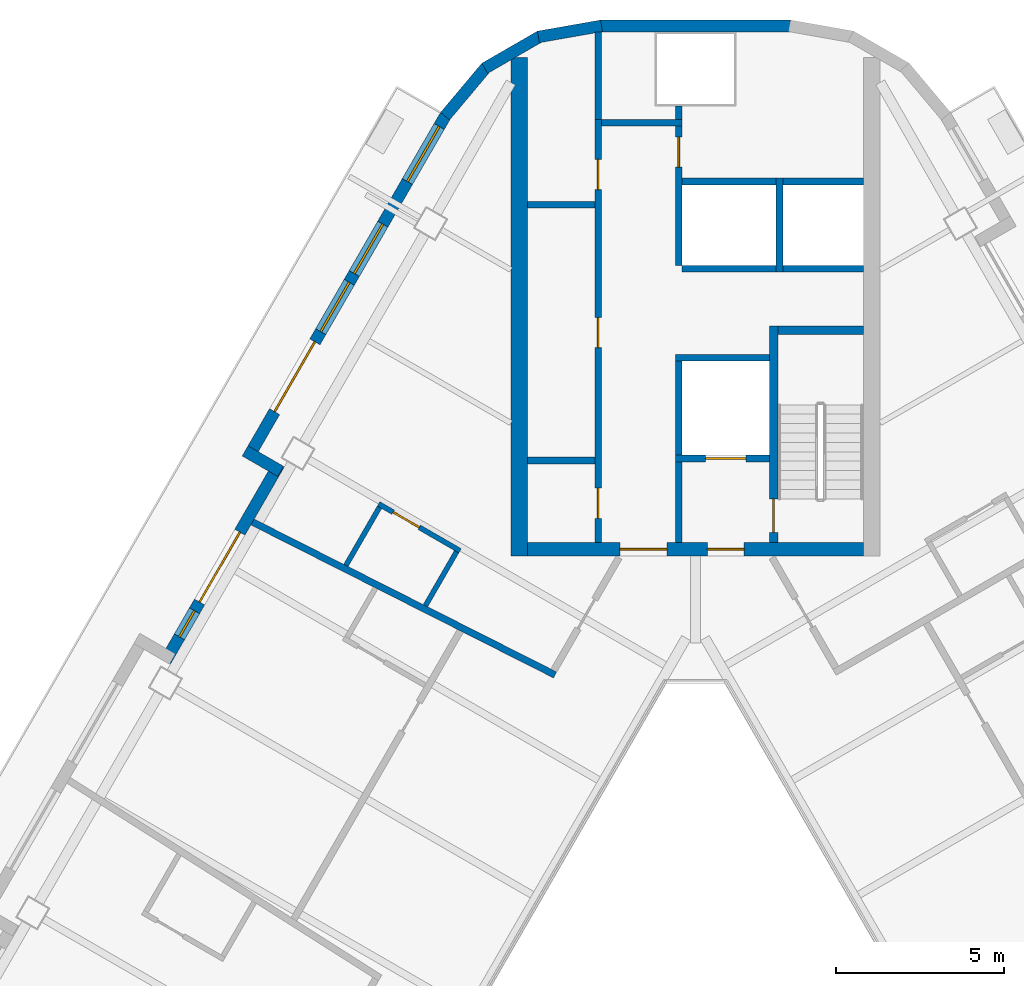
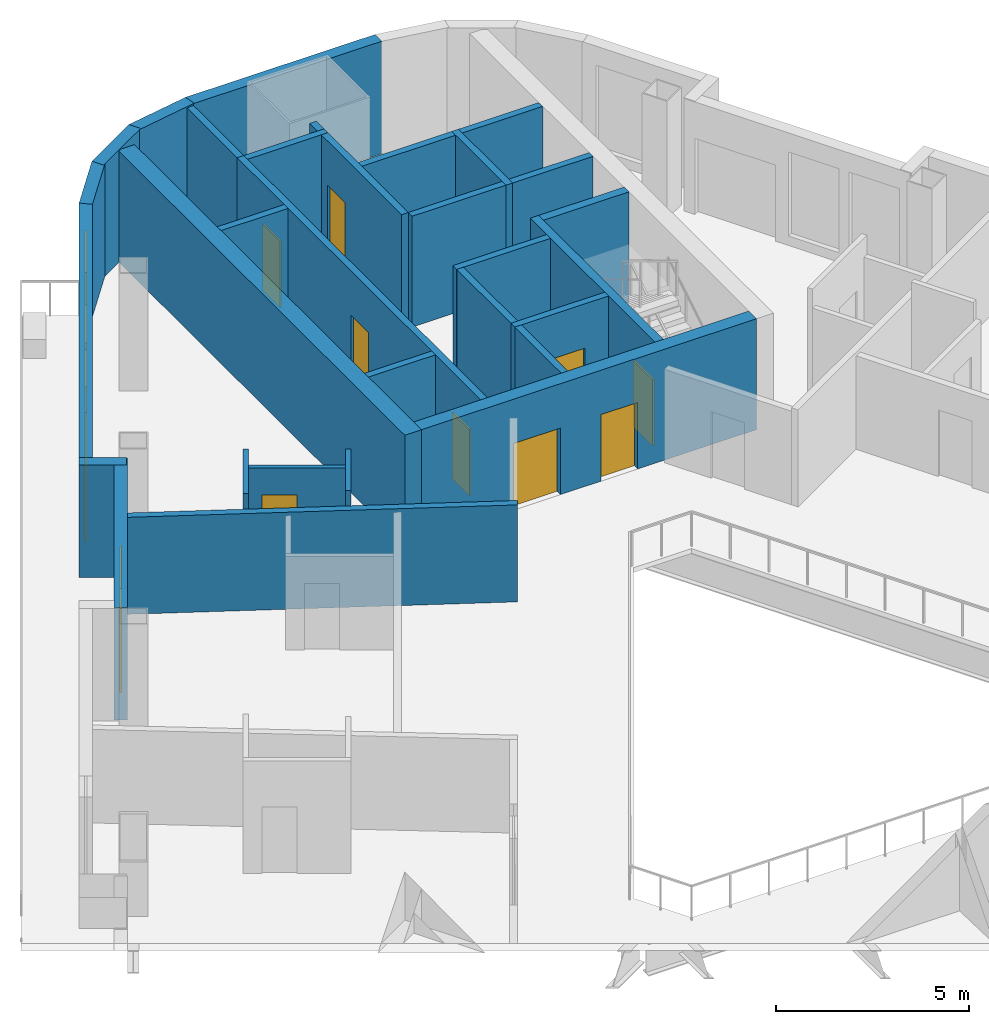
# One storey, part 6 of 13: 31 walls, 11 doors, 4 windows, 15 openings.
"""IFC4 building model written with IfcOpenShell, lengths in metres."""

from ifc_helpers import new_model, si_unit, direction, frame, frame_2d, origin, place, context, subcontext, project, spatial, rectangle, extrude, material, layer, layer_set, type_object, element, fill, save


model = new_model("IFC4")

# Units and contexts
model_context = context("Model", 3, precision=1e-05, world=origin(), true_north=direction((0.0, 1.0)))
body_context = subcontext(model_context, "Body", "Model", "MODEL_VIEW")
ifc_project = project(units=[si_unit("LENGTHUNIT", "METRE"), si_unit("AREAUNIT", "SQUARE_METRE"), si_unit("VOLUMEUNIT", "CUBIC_METRE"), si_unit("PLANEANGLEUNIT", "RADIAN"), si_unit("MASSUNIT", "GRAM", prefix="KILO")], contexts=[model_context])

# Site, building, storey
site_placement = place(None, origin())
site = spatial("IfcSite", under=ifc_project, at=site_placement, CompositionType="ELEMENT")
building_placement = place(site_placement, origin())
building = spatial("IfcBuilding", under=site, at=building_placement, Name="Apuvela Tower Hotel", CompositionType="ELEMENT")
storey_placement = place(building_placement, frame((0.0, 0.0, 198.39990234375)))
storey = spatial("IfcBuildingStorey", under=building, at=storey_placement, Name="L48", CompositionType="ELEMENT", Elevation=198.39990234375)

# Wall, openings, doors
ifc_material_1 = material(Name="Concrete C50/60", Category="concrete")
ifc_layer_1 = layer(ifc_material_1, 0.39990234375)
ifc_layer_set_1 = layer_set([ifc_layer_1], Name="COR-WALL-CORE-400")
wall_type_1 = type_object("IfcWallType", Name="COR-WALL-CORE-400", PredefinedType="SHEAR", material=ifc_layer_set_1)
wall_1_placement = place(storey_placement, frame((5.0, 13.10009765625, 0.0), z_axis=(0.0, 0.0, 1.0), x_axis=(-1.0, 0.0, 0.0)))
wall_1 = element("IfcWall", 1, at=wall_1_placement, inside=storey, type_object=wall_type_1, Name="Core wall N", PredefinedType="SHEAR", context=body_context, shape_type="SweptSolid", body=[
    extrude(rectangle(XDim=10.0, YDim=0.39990234375, at=frame_2d((5.0, 0.0))), origin(), (0.0, 0.0, 1.0), 3.5),
])
opening_1_placement = place(wall_1_placement, frame((3.550048828125, 0.0, 0.0)))
opening_1 = element("IfcOpeningElement", 2, at=opening_1_placement, cuts=wall_1, Name="Opening N-FD", PredefinedType="OPENING", context=body_context, shape_type="SweptSolid", body=[
    extrude(rectangle(XDim=1.10009765625, YDim=2.10009765625, at=frame_2d((0.550048828125, 1.050048828125))), frame((0.0, 0.2099609375, 0.0), z_axis=(0.0, -1.0, 0.0), x_axis=(1.0, 0.0, 0.0)), (0.0, 0.0, 1.0), 0.419921875),
])
opening_2_placement = place(wall_1_placement, frame((5.85009765625, 0.0, 0.0)))
opening_2 = element("IfcOpeningElement", 3, at=opening_2_placement, cuts=wall_1, Name="Opening N-GD", PredefinedType="OPENING", context=body_context, shape_type="SweptSolid", body=[
    extrude(rectangle(XDim=1.39990234375, YDim=2.10009765625, at=frame_2d((0.699951171875, 1.050048828125))), frame((0.0, 0.2099609375, 0.0), z_axis=(0.0, -1.0, 0.0), x_axis=(1.0, 0.0, 0.0)), (0.0, 0.0, 1.0), 0.419921875),
])
ifc_material_2 = material(Name="Steel fire door, powder coated", Category="steel")
door_type_1 = type_object("IfcDoorType", Name="COR-FD-1100", OperationType="NOTDEFINED", PredefinedType="DOOR", material=ifc_material_2)
door_1_placement = place(opening_1_placement, frame((1.10009765625, 0.0, 0.0), z_axis=(0.0, 0.0, 1.0), x_axis=(-1.0, 0.0, 0.0)))
door_1 = element("IfcDoor", 4, at=door_1_placement, inside=storey, type_object=door_type_1, Name="Firefighting lobby door N-FD", OperationType="SINGLE_SWING_LEFT", OverallHeight=2.10009765625, OverallWidth=1.10009765625, PredefinedType="DOOR", context=body_context, shape_type="SweptSolid", body=[
    extrude(rectangle(XDim=1.10009765625, YDim=2.10009765625, at=frame_2d((0.550048828125, 1.050048828125))), frame((0.0, 0.02490234375, 0.0), z_axis=(0.0, -1.0, 0.0), x_axis=(1.0, 0.0, 0.0)), (0.0, 0.0, 1.0), 0.050048828125),
])
fill(opening_1, door_1)
ifc_material_3 = material(Name="Glazed steel fire door", Category="steel")
door_type_2 = type_object("IfcDoorType", Name="COR-GD-1400", OperationType="DOUBLE_DOOR_SINGLE_SWING", PredefinedType="DOOR", material=ifc_material_3)
door_2_placement = place(opening_2_placement, frame((1.39990234375, 0.0, 0.0), z_axis=(0.0, 0.0, 1.0), x_axis=(-1.0, 0.0, 0.0)))
door_2 = element("IfcDoor", 5, at=door_2_placement, inside=storey, type_object=door_type_2, Name="Lift lobby door N-GD", OperationType="DOUBLE_DOOR_SINGLE_SWING", OverallHeight=2.10009765625, OverallWidth=1.39990234375, PredefinedType="DOOR", context=body_context, shape_type="SweptSolid", body=[
    extrude(rectangle(XDim=1.39990234375, YDim=2.10009765625, at=frame_2d((0.699951171875, 1.050048828125))), frame((0.0, 0.02490234375, 0.0), z_axis=(0.0, -1.0, 0.0), x_axis=(1.0, 0.0, 0.0)), (0.0, 0.0, 1.0), 0.050048828125),
])
fill(opening_2, door_2)

# Walls
ifc_layer_2 = layer(ifc_material_1, 0.5)
ifc_layer_set_2 = layer_set([ifc_layer_2], Name="COR-WALL-CORE-500")
wall_type_2 = type_object("IfcWallType", Name="COR-WALL-CORE-500", PredefinedType="SHEAR", material=ifc_layer_set_2)
wall_2_placement = place(storey_placement, frame((-5.25, 12.89990234375, 0.0), z_axis=(0.0, 0.0, 1.0), x_axis=(0.0, 1.0, 0.0)))
element("IfcWall", 6, at=wall_2_placement, inside=storey, type_object=wall_type_2, Name="Core wall N", PredefinedType="SHEAR", context=body_context, shape_type="SweptSolid", body=[
    extrude(rectangle(XDim=14.8369140625, YDim=0.5, at=frame_2d((7.41845703125, 0.0))), origin(), (0.0, 0.0, 1.0), 3.5),
])
ifc_material_4 = material(Name="Blockwork 200 mm plastered", Category="masonry")
ifc_layer_3 = layer(ifc_material_4, 0.199951171875)
ifc_layer_set_3 = layer_set([ifc_layer_3], Name="COR-WALL-PART-200")
wall_type_3 = type_object("IfcWallType", Name="COR-WALL-PART-200", PredefinedType="PARTITIONING", material=ifc_layer_set_3)
wall_3_placement = place(storey_placement, frame((5.0, 21.449951171875, 0.0), z_axis=(0.0, 0.0, 1.0), x_axis=(-1.0, 0.0, 0.0)))
element("IfcWall", 7, at=wall_3_placement, inside=storey, type_object=wall_type_3, Name="Partition N", PredefinedType="PARTITIONING", context=body_context, shape_type="SweptSolid", body=[
    extrude(rectangle(XDim=2.39990234375, YDim=0.199951171875, at=frame_2d((1.199951171875, 0.0))), origin(), (0.0, 0.0, 1.0), 3.5),
])
wall_4_placement = place(storey_placement, frame((2.39990234375, 21.449951171875, 0.0), z_axis=(0.0, 0.0, 1.0), x_axis=(-1.0, 0.0, 0.0)))
element("IfcWall", 8, at=wall_4_placement, inside=storey, type_object=wall_type_3, Name="Partition N", PredefinedType="PARTITIONING", context=body_context, shape_type="SweptSolid", body=[
    extrude(rectangle(XDim=2.7998046875, YDim=0.199951171875, at=frame_2d((1.39990234375, 0.0))), origin(), (0.0, 0.0, 1.0), 3.5),
])
ifc_layer_4 = layer(ifc_material_1, 0.199951171875)
ifc_layer_set_4 = layer_set([ifc_layer_4], Name="COR-WALL-SHAFT-200")
wall_type_4 = type_object("IfcWallType", Name="COR-WALL-SHAFT-200", PredefinedType="SHEAR", material=ifc_layer_set_4)
wall_5_placement = place(storey_placement, frame((2.199951171875, 18.800048828125, 0.0), z_axis=(0.0, 0.0, 1.0), x_axis=(-1.0, 0.0, 0.0)))
element("IfcWall", 9, at=wall_5_placement, inside=storey, type_object=wall_type_4, Name="Shaft wall N", PredefinedType="SHEAR", context=body_context, shape_type="SweptSolid", body=[
    extrude(rectangle(XDim=2.800048828125, YDim=0.199951171875, at=frame_2d((1.39990234375, 0.0))), origin(), (0.0, 0.0, 1.0), 3.5),
])

# Wall, opening, door
wall_6_placement = place(storey_placement, frame((2.199951171875, 15.800048828125, 0.0), z_axis=(0.0, 0.0, 1.0), x_axis=(-1.0, 0.0, 0.0)))
wall_6 = element("IfcWall", 10, at=wall_6_placement, inside=storey, type_object=wall_type_4, Name="Shaft wall N", PredefinedType="SHEAR", context=body_context, shape_type="SweptSolid", body=[
    extrude(rectangle(XDim=2.800048828125, YDim=0.199951171875, at=frame_2d((1.39990234375, 0.0))), origin(), (0.0, 0.0, 1.0), 3.5),
])
opening_3_placement = place(wall_6_placement, frame((0.699951171875, 0.0, 0.0)))
opening_3 = element("IfcOpeningElement", 11, at=opening_3_placement, cuts=wall_6, Name="Opening N-LD-FS1", PredefinedType="OPENING", context=body_context, shape_type="SweptSolid", body=[
    extrude(rectangle(XDim=1.199951171875, YDim=2.10009765625, at=frame_2d((0.60009765625, 1.050048828125))), frame((0.0, 0.10986328125, 0.0), z_axis=(0.0, -1.0, 0.0), x_axis=(1.0, 0.0, 0.0)), (0.0, 0.0, 1.0), 0.219970703125),
])
ifc_material_5 = material(Name="Stainless steel lift landing door", Category="steel")
door_type_3 = type_object("IfcDoorType", Name="COR-LD-1200", OperationType="DOUBLE_DOOR_SLIDING", PredefinedType="DOOR", material=ifc_material_5)
door_3_placement = place(opening_3_placement, origin())
door_3 = element("IfcDoor", 12, at=door_3_placement, inside=storey, type_object=door_type_3, Name="Lift landing door N-LD-FS1", OperationType="DOUBLE_DOOR_SLIDING", OverallHeight=2.10009765625, OverallWidth=1.199951171875, PredefinedType="DOOR", context=body_context, shape_type="SweptSolid", body=[
    extrude(rectangle(XDim=1.199951171875, YDim=2.10009765625, at=frame_2d((0.60009765625, 1.050048828125))), frame((0.0, 0.02490234375, 0.0), z_axis=(0.0, -1.0, 0.0), x_axis=(1.0, 0.0, 0.0)), (0.0, 0.0, 1.0), 0.050048828125),
])
fill(opening_3, door_3)

# Walls
wall_7_placement = place(storey_placement, frame((-0.5, 15.89990234375, 0.0), z_axis=(0.0, 0.0, 1.0), x_axis=(0.0, 1.0, 0.0)))
element("IfcWall", 13, at=wall_7_placement, inside=storey, type_object=wall_type_4, Name="Shaft wall N", PredefinedType="SHEAR", context=body_context, shape_type="SweptSolid", body=[
    extrude(rectangle(XDim=2.800048828125, YDim=0.199951171875, at=frame_2d((1.39990234375, 0.0))), origin(), (0.0, 0.0, 1.0), 3.5),
])
wall_8_placement = place(storey_placement, frame((-0.5, 13.300048828125, 0.0), z_axis=(0.0, 0.0, 1.0), x_axis=(0.0, 1.0, 0.0)))
element("IfcWall", 14, at=wall_8_placement, inside=storey, type_object=wall_type_4, Name="Shaft wall N", PredefinedType="SHEAR", context=body_context, shape_type="SweptSolid", body=[
    extrude(rectangle(XDim=2.39990234375, YDim=0.199951171875, at=frame_2d((1.199951171875, 0.0))), origin(), (0.0, 0.0, 1.0), 3.5),
])

# Wall, openings, doors
wall_9_placement = place(storey_placement, frame((-2.89990234375, 13.300048828125, 0.0), z_axis=(0.0, 0.0, 1.0), x_axis=(0.0, 1.0, 0.0)))
wall_9 = element("IfcWall", 15, at=wall_9_placement, inside=storey, type_object=wall_type_4, Name="Shaft wall N", PredefinedType="SHEAR", context=body_context, shape_type="SweptSolid", body=[
    extrude(rectangle(XDim=12.599853515625, YDim=0.199951171875, at=frame_2d((6.2998046875, 0.0))), origin(), (0.0, 0.0, 1.0), 3.5),
])
opening_4_placement = place(wall_9_placement, frame((0.719970703125, 0.0, 0.0)))
opening_4 = element("IfcOpeningElement", 16, at=opening_4_placement, cuts=wall_9, Name="Opening N-RE1", PredefinedType="OPENING", context=body_context, shape_type="SweptSolid", body=[
    extrude(rectangle(XDim=0.89990234375, YDim=2.10009765625, at=frame_2d((0.449951171875, 1.050048828125))), frame((0.0, 0.10986328125, 0.0), z_axis=(0.0, -1.0, 0.0), x_axis=(1.0, 0.0, 0.0)), (0.0, 0.0, 1.0), 0.219970703125),
])
opening_5_placement = place(wall_9_placement, frame((5.800048828125, 0.0, 0.0)))
opening_5 = element("IfcOpeningElement", 17, at=opening_5_placement, cuts=wall_9, Name="Opening N-RE2", PredefinedType="OPENING", context=body_context, shape_type="SweptSolid", body=[
    extrude(rectangle(XDim=0.89990234375, YDim=2.10009765625, at=frame_2d((0.449951171875, 1.050048828125))), frame((0.0, 0.10986328125, 0.0), z_axis=(0.0, -1.0, 0.0), x_axis=(1.0, 0.0, 0.0)), (0.0, 0.0, 1.0), 0.219970703125),
])
opening_6_placement = place(wall_9_placement, frame((10.510009765625, 0.0, 0.0)))
opening_6 = element("IfcOpeningElement", 18, at=opening_6_placement, cuts=wall_9, Name="Opening N-REP", PredefinedType="OPENING", context=body_context, shape_type="SweptSolid", body=[
    extrude(rectangle(XDim=0.89990234375, YDim=2.10009765625, at=frame_2d((0.449951171875, 1.050048828125))), frame((0.0, 0.10986328125, 0.0), z_axis=(0.0, -1.0, 0.0), x_axis=(1.0, 0.0, 0.0)), (0.0, 0.0, 1.0), 0.219970703125),
])
door_type_4 = type_object("IfcDoorType", Name="COR-DR-900", OperationType="NOTDEFINED", PredefinedType="DOOR", material=ifc_material_2)
door_4_placement = place(opening_4_placement, origin())
door_4 = element("IfcDoor", 19, at=door_4_placement, inside=storey, type_object=door_type_4, Name="Store door N-RE1", OperationType="SINGLE_SWING_LEFT", OverallHeight=2.10009765625, OverallWidth=0.89990234375, PredefinedType="DOOR", context=body_context, shape_type="SweptSolid", body=[
    extrude(rectangle(XDim=0.89990234375, YDim=2.10009765625, at=frame_2d((0.449951171875, 1.050048828125))), frame((0.0, 0.02490234375, 0.0), z_axis=(0.0, -1.0, 0.0), x_axis=(1.0, 0.0, 0.0)), (0.0, 0.0, 1.0), 0.050048828125),
])
fill(opening_4, door_4)
door_5_placement = place(opening_5_placement, origin())
door_5 = element("IfcDoor", 20, at=door_5_placement, inside=storey, type_object=door_type_4, Name="Store door N-RE2", OperationType="SINGLE_SWING_RIGHT", OverallHeight=2.10009765625, OverallWidth=0.89990234375, PredefinedType="DOOR", context=body_context, shape_type="SweptSolid", body=[
    extrude(rectangle(XDim=0.89990234375, YDim=2.10009765625, at=frame_2d((0.449951171875, 1.050048828125))), frame((0.0, 0.02490234375, 0.0), z_axis=(0.0, -1.0, 0.0), x_axis=(1.0, 0.0, 0.0)), (0.0, 0.0, 1.0), 0.050048828125),
])
fill(opening_5, door_5)
door_6_placement = place(opening_6_placement, origin())
door_6 = element("IfcDoor", 21, at=door_6_placement, inside=storey, type_object=door_type_4, Name="Store door N-REP", OperationType="SINGLE_SWING_RIGHT", OverallHeight=2.10009765625, OverallWidth=0.89990234375, PredefinedType="DOOR", context=body_context, shape_type="SweptSolid", body=[
    extrude(rectangle(XDim=0.89990234375, YDim=2.10009765625, at=frame_2d((0.449951171875, 1.050048828125))), frame((0.0, 0.02490234375, 0.0), z_axis=(0.0, -1.0, 0.0), x_axis=(1.0, 0.0, 0.0)), (0.0, 0.0, 1.0), 0.050048828125),
])
fill(opening_6, door_6)

# Wall
wall_10_placement = place(storey_placement, frame((-0.39990234375, 25.800048828125, 0.0), z_axis=(0.0, 0.0, 1.0), x_axis=(-1.0, 0.0, 0.0)))
element("IfcWall", 22, at=wall_10_placement, inside=storey, type_object=wall_type_4, Name="Shaft wall N", PredefinedType="SHEAR", context=body_context, shape_type="SweptSolid", body=[
    extrude(rectangle(XDim=2.400146484375, YDim=0.199951171875, at=frame_2d((1.2001953125, 0.0))), origin(), (0.0, 0.0, 1.0), 3.5),
])

# Wall, opening, door
wall_11_placement = place(storey_placement, frame((-0.5, 21.550048828125, 0.0), z_axis=(0.0, 0.0, 1.0), x_axis=(0.0, 1.0, 0.0)))
wall_11 = element("IfcWall", 23, at=wall_11_placement, inside=storey, type_object=wall_type_4, Name="Shaft wall N", PredefinedType="SHEAR", context=body_context, shape_type="SweptSolid", body=[
    extrude(rectangle(XDim=4.14990234375, YDim=0.199951171875, at=frame_2d((2.074951171875, 0.0))), origin(), (0.0, 0.0, 1.0), 3.5),
])
opening_7_placement = place(wall_11_placement, frame((2.925048828125, 0.0, 0.0)))
opening_7 = element("IfcOpeningElement", 24, at=opening_7_placement, cuts=wall_11, Name="Opening N-RSP", PredefinedType="OPENING", context=body_context, shape_type="SweptSolid", body=[
    extrude(rectangle(XDim=0.89990234375, YDim=2.10009765625, at=frame_2d((0.449951171875, 1.050048828125))), frame((0.0, 0.10986328125, 0.0), z_axis=(0.0, -1.0, 0.0), x_axis=(1.0, 0.0, 0.0)), (0.0, 0.0, 1.0), 0.219970703125),
])
door_7_placement = place(opening_7_placement, frame((0.89990234375, 0.0, 0.0), z_axis=(0.0, 0.0, 1.0), x_axis=(-1.0, 0.0, 0.0)))
door_7 = element("IfcDoor", 25, at=door_7_placement, inside=storey, type_object=door_type_4, Name="Store door N-RSP", OperationType="SINGLE_SWING_LEFT", OverallHeight=2.10009765625, OverallWidth=0.89990234375, PredefinedType="DOOR", context=body_context, shape_type="SweptSolid", body=[
    extrude(rectangle(XDim=0.89990234375, YDim=2.10009765625, at=frame_2d((0.449951171875, 1.050048828125))), frame((0.0, 0.02490234375, 0.0), z_axis=(0.0, -1.0, 0.0), x_axis=(1.0, 0.0, 0.0)), (0.0, 0.0, 1.0), 0.050048828125),
])
fill(opening_7, door_7)

# Walls
for number, where, z_axis, x_axis, name in (
    (26, (-3.0, 15.739990234375, 0.0), (0.0, 0.0, 1.0), (-1.0, 0.0, 0.0), "Shaft wall N"),
    (27, (-3.0, 23.360107421875, 0.0), (0.0, 0.0, 1.0), (-1.0, 0.0, 0.0), "Shaft wall N"),
):
    element("IfcWall", number, at=place(storey_placement, frame(where, z_axis=z_axis, x_axis=x_axis)), inside=storey, type_object=wall_type_4, Name=name, PredefinedType="SHEAR", context=body_context, shape_type="SweptSolid", body=[
        extrude(rectangle(XDim=2.0, YDim=0.199951171875, at=frame_2d((1.0, 0.0))), origin(), (0.0, 0.0, 1.0), 3.5),
    ])
wall_12_placement = place(storey_placement, frame((-0.5, 25.89990234375, 0.0), z_axis=(0.0, 0.0, 1.0), x_axis=(0.0, 1.0, 0.0)))
element("IfcWall", 28, at=wall_12_placement, inside=storey, type_object=wall_type_4, Name="Shaft wall N", PredefinedType="SHEAR", context=body_context, shape_type="SweptSolid", body=[
    extrude(rectangle(XDim=0.400146484375, YDim=0.199951171875, at=frame_2d((0.2001953125, 0.0))), origin(), (0.0, 0.0, 1.0), 3.5),
])
wall_13_placement = place(storey_placement, frame((-2.89990234375, 25.89990234375, 0.0), z_axis=(0.0, 0.0, 1.0), x_axis=(0.0, 1.0, 0.0)))
element("IfcWall", 29, at=wall_13_placement, inside=storey, type_object=wall_type_4, Name="Shaft wall N", PredefinedType="SHEAR", context=body_context, shape_type="SweptSolid", body=[
    extrude(rectangle(XDim=2.60009765625, YDim=0.199951171875, at=frame_2d((1.300048828125, 0.0))), origin(), (0.0, 0.0, 1.0), 3.5),
])
wall_14_placement = place(storey_placement, frame((2.5, 21.35009765625, 0.0), z_axis=(0.0, 0.0, 1.0), x_axis=(0.0, 1.0, 0.0)))
element("IfcWall", 30, at=wall_14_placement, inside=storey, type_object=wall_type_4, Name="Shaft wall N", PredefinedType="SHEAR", context=body_context, shape_type="SweptSolid", body=[
    extrude(rectangle(XDim=2.7998046875, YDim=0.199951171875, at=frame_2d((1.39990234375, 0.0))), origin(), (0.0, 0.0, 1.0), 3.5),
])
wall_15_placement = place(storey_placement, frame((5.0, 24.050048828125, 0.0), z_axis=(0.0, 0.0, 1.0), x_axis=(-1.0, 0.0, 0.0)))
element("IfcWall", 31, at=wall_15_placement, inside=storey, type_object=wall_type_4, Name="Shaft wall N", PredefinedType="SHEAR", context=body_context, shape_type="SweptSolid", body=[
    extrude(rectangle(XDim=2.39990234375, YDim=0.199951171875, at=frame_2d((1.199951171875, 0.0))), origin(), (0.0, 0.0, 1.0), 3.5),
])
wall_16_placement = place(storey_placement, frame((2.39990234375, 24.050048828125, 0.0), z_axis=(0.0, 0.0, 1.0), x_axis=(-1.0, 0.0, 0.0)))
element("IfcWall", 32, at=wall_16_placement, inside=storey, type_object=wall_type_4, Name="Shaft wall N", PredefinedType="SHEAR", context=body_context, shape_type="SweptSolid", body=[
    extrude(rectangle(XDim=2.7998046875, YDim=0.199951171875, at=frame_2d((1.39990234375, 0.0))), origin(), (0.0, 0.0, 1.0), 3.5),
])

# Wall, opening, door
ifc_layer_5 = layer(ifc_material_1, 0.25)
ifc_layer_set_5 = layer_set([ifc_layer_5], Name="COR-WALL-STAIR-250")
wall_type_5 = type_object("IfcWallType", Name="COR-WALL-STAIR-250", PredefinedType="SHEAR", material=ifc_layer_set_5)
wall_17_placement = place(storey_placement, frame((2.324951171875, 13.300048828125, 0.0), z_axis=(0.0, 0.0, 1.0), x_axis=(0.0, 1.0, 0.0)))
wall_17 = element("IfcWall", 33, at=wall_17_placement, inside=storey, type_object=wall_type_5, Name="Stair wall N", PredefinedType="SHEAR", context=body_context, shape_type="SweptSolid", body=[
    extrude(rectangle(XDim=6.449951171875, YDim=0.25, at=frame_2d((3.22509765625, 0.0))), origin(), (0.0, 0.0, 1.0), 3.5),
])
opening_8_placement = place(wall_17_placement, frame((0.300048828125, 0.0, 0.0)))
opening_8 = element("IfcOpeningElement", 34, at=opening_8_placement, cuts=wall_17, Name="Opening N-SD", PredefinedType="OPENING", context=body_context, shape_type="SweptSolid", body=[
    extrude(rectangle(XDim=1.0, YDim=2.10009765625, at=frame_2d((0.5, 1.050048828125))), frame((0.0, 0.135009765625, 0.0), z_axis=(0.0, -1.0, 0.0), x_axis=(1.0, 0.0, 0.0)), (0.0, 0.0, 1.0), 0.27001953125),
])
door_type_5 = type_object("IfcDoorType", Name="COR-SD-1000", OperationType="NOTDEFINED", PredefinedType="DOOR", material=ifc_material_2)
door_8_placement = place(opening_8_placement, frame((1.0, 0.0, 0.0), z_axis=(0.0, 0.0, 1.0), x_axis=(-1.0, 0.0, 0.0)))
door_8 = element("IfcDoor", 35, at=door_8_placement, inside=storey, type_object=door_type_5, Name="Stair door N-SD", OperationType="SINGLE_SWING_LEFT", OverallHeight=2.10009765625, OverallWidth=1.0, PredefinedType="DOOR", context=body_context, shape_type="SweptSolid", body=[
    extrude(rectangle(XDim=1.0, YDim=2.10009765625, at=frame_2d((0.5, 1.050048828125))), frame((0.0, 0.02490234375, 0.0), z_axis=(0.0, -1.0, 0.0), x_axis=(1.0, 0.0, 0.0)), (0.0, 0.0, 1.0), 0.050048828125),
])
fill(opening_8, door_8)

# Wall
wall_18_placement = place(storey_placement, frame((5.0, 19.625, 0.0), z_axis=(0.0, 0.0, 1.0), x_axis=(-1.0, 0.0, 0.0)))
element("IfcWall", 36, at=wall_18_placement, inside=storey, type_object=wall_type_5, Name="Stair wall N", PredefinedType="SHEAR", context=body_context, shape_type="SweptSolid", body=[
    extrude(rectangle(XDim=2.550048828125, YDim=0.25, at=frame_2d((1.27490234375, 0.0))), origin(), (0.0, 0.0, 1.0), 3.5),
])

# Wall, openings, door, windows
ifc_material_6 = material(Name="Concrete C40/50, dark pigmented precast panel", Category="concrete")
ifc_layer_6 = layer(ifc_material_6, 0.35009765625)
ifc_layer_set_6 = layer_set([ifc_layer_6], Name="ENV-WALL-350")
wall_type_6 = type_object("IfcWallType", Name="ENV-WALL-350", PredefinedType="SOLIDWALL", material=ifc_layer_set_6)
wall_19_placement = place(storey_placement, frame((-7.440673828125, 26.0224609375, 0.0), z_axis=(0.0, 0.0, 1.0), x_axis=(-0.499992533062, -0.86602971478, 0.0)))
wall_19 = element("IfcWall", 37, at=wall_19_placement, inside=storey, type_object=wall_type_6, Name="External wall L48-01", PredefinedType="SOLIDWALL", context=body_context, shape_type="SweptSolid", body=[
    extrude(rectangle(XDim=11.815673828125, YDim=0.35009765625, at=frame_2d((5.90771484375, 0.0))), origin(), (0.0, 0.0, 1.0), 3.550048828125),
])
opening_9_placement = place(wall_19_placement, frame((0.381103515625, 0.0, 0.300048828125)))
opening_9 = element("IfcOpeningElement", 38, at=opening_9_placement, cuts=wall_19, Name="Opening WN19", PredefinedType="OPENING", context=body_context, shape_type="SweptSolid", body=[
    extrude(rectangle(XDim=1.89990234375, YDim=2.64990234375, at=frame_2d((0.949951171875, 1.324951171875))), frame((0.0, 0.18505859375, 0.0), z_axis=(0.0, -1.0, 0.0), x_axis=(1.0, 0.0, 0.0)), (0.0, 0.0, 1.0), 0.3701171875),
])
opening_10_placement = place(wall_19_placement, frame((7.79052734375, 0.0, 0.0)))
opening_10 = element("IfcOpeningElement", 39, at=opening_10_placement, cuts=wall_19, Name="Opening BD24", PredefinedType="OPENING", context=body_context, shape_type="SweptSolid", body=[
    extrude(rectangle(XDim=2.39990234375, YDim=2.39990234375, at=frame_2d((1.199951171875, 1.199951171875))), frame((0.0, 0.18505859375, 0.0), z_axis=(0.0, -1.0, 0.0), x_axis=(1.0, 0.0, 0.0)), (0.0, 0.0, 1.0), 0.3701171875),
])
opening_11_placement = place(wall_19_placement, frame((3.7412109375, 0.0, 0.300048828125)))
opening_11 = element("IfcOpeningElement", 40, at=opening_11_placement, cuts=wall_19, Name="Opening WN17", PredefinedType="OPENING", context=body_context, shape_type="SweptSolid", body=[
    extrude(rectangle(XDim=1.699951171875, YDim=2.64990234375, at=frame_2d((0.85009765625, 1.324951171875))), frame((0.0, 0.18505859375, 0.0), z_axis=(0.0, -1.0, 0.0), x_axis=(1.0, 0.0, 0.0)), (0.0, 0.0, 1.0), 0.3701171875),
])
opening_12_placement = place(wall_19_placement, frame((5.7412109375, 0.0, 0.300048828125)))
opening_12 = element("IfcOpeningElement", 41, at=opening_12_placement, cuts=wall_19, Name="Opening WN17", PredefinedType="OPENING", context=body_context, shape_type="SweptSolid", body=[
    extrude(rectangle(XDim=1.699951171875, YDim=2.64990234375, at=frame_2d((0.85009765625, 1.324951171875))), frame((0.0, 0.18505859375, 0.0), z_axis=(0.0, -1.0, 0.0), x_axis=(1.0, 0.0, 0.0)), (0.0, 0.0, 1.0), 0.3701171875),
])
ifc_material_7 = material(Name="Aluminium 6063-T6, dark bronze anodised frame with dark tinted laminated glass", Category="aluminium")
door_type_6 = type_object("IfcDoorType", Name="ENV-DOOR-BALCONY-2400x2400", OperationType="SLIDING_TO_LEFT", PredefinedType="DOOR", material=ifc_material_7)
door_9_placement = place(opening_10_placement, frame((2.39990234375, 0.0, 0.0), z_axis=(0.0, 0.0, 1.0), x_axis=(-1.0, 0.0, 0.0)))
door_9 = element("IfcDoor", 42, at=door_9_placement, inside=storey, type_object=door_type_6, Name="Balcony door BD24", OperationType="SLIDING_TO_LEFT", OverallHeight=2.39990234375, OverallWidth=2.39990234375, PredefinedType="DOOR", context=body_context, shape_type="SweptSolid", body=[
    extrude(rectangle(XDim=2.39990234375, YDim=2.39990234375, at=frame_2d((1.199951171875, 1.199951171875))), frame((0.0, 0.02490234375, 0.0), z_axis=(0.0, -1.0, 0.0), x_axis=(1.0, 0.0, 0.0)), (0.0, 0.0, 1.0), 0.050048828125),
])
fill(opening_10, door_9)
ifc_material_8 = material(Name="Glass, dark tinted laminated insulated glazing unit", Category="glass")
window_type_1 = type_object("IfcWindowType", Name="ENV-WIN-1700x2650", PartitioningType="SINGLE_PANEL", PredefinedType="WINDOW", material=ifc_material_8)
window_1_placement = place(opening_11_placement, origin())
window_1 = element("IfcWindow", 43, at=window_1_placement, inside=storey, type_object=window_type_1, Name="Window WN17", OverallHeight=2.64990234375, OverallWidth=1.699951171875, PartitioningType="SINGLE_PANEL", PredefinedType="WINDOW", context=body_context, shape_type="SweptSolid", body=[
    extrude(rectangle(XDim=1.699951171875, YDim=2.64990234375, at=frame_2d((0.85009765625, 1.324951171875))), frame((0.0, 0.030029296875, 0.0), z_axis=(0.0, -1.0, 0.0), x_axis=(1.0, 0.0, 0.0)), (0.0, 0.0, 1.0), 0.06005859375),
])
fill(opening_11, window_1)
window_2_placement = place(opening_12_placement, origin())
window_2 = element("IfcWindow", 44, at=window_2_placement, inside=storey, type_object=window_type_1, Name="Window WN17", OverallHeight=2.64990234375, OverallWidth=1.699951171875, PartitioningType="SINGLE_PANEL", PredefinedType="WINDOW", context=body_context, shape_type="SweptSolid", body=[
    extrude(rectangle(XDim=1.699951171875, YDim=2.64990234375, at=frame_2d((0.85009765625, 1.324951171875))), frame((0.0, 0.030029296875, 0.0), z_axis=(0.0, -1.0, 0.0), x_axis=(1.0, 0.0, 0.0)), (0.0, 0.0, 1.0), 0.06005859375),
])
fill(opening_12, window_2)
window_type_2 = type_object("IfcWindowType", Name="ENV-WIN-1900x2650", PartitioningType="SINGLE_PANEL", PredefinedType="WINDOW", material=ifc_material_8)
window_3_placement = place(opening_9_placement, origin())
window_3 = element("IfcWindow", 45, at=window_3_placement, inside=storey, type_object=window_type_2, Name="Window WN19", OverallHeight=2.64990234375, OverallWidth=1.89990234375, PartitioningType="SINGLE_PANEL", PredefinedType="WINDOW", context=body_context, shape_type="SweptSolid", body=[
    extrude(rectangle(XDim=1.89990234375, YDim=2.64990234375, at=frame_2d((0.949951171875, 1.324951171875))), frame((0.0, 0.030029296875, 0.0), z_axis=(0.0, -1.0, 0.0), x_axis=(1.0, 0.0, 0.0)), (0.0, 0.0, 1.0), 0.06005859375),
])
fill(opening_9, window_3)

# Wall
wall_20_placement = place(storey_placement, frame((-13.41259765625, 16.02880859375, 0.0), z_axis=(0.0, 0.0, 1.0), x_axis=(0.866005645448, -0.500034220881, 0.0)))
element("IfcWall", 46, at=wall_20_placement, inside=storey, type_object=wall_type_6, Name="External wall L48-02", PredefinedType="SOLIDWALL", context=body_context, shape_type="SweptSolid", body=[
    extrude(rectangle(XDim=1.22021484375, YDim=0.35009765625, at=frame_2d((0.610107421875, 0.0))), origin(), (0.0, 0.0, 1.0), 3.550048828125),
])

# Wall, openings, door, window
wall_21_placement = place(storey_placement, frame((-12.408935546875, 15.616943359375, 0.0), z_axis=(0.0, 0.0, 1.0), x_axis=(-0.500003597184, -0.866023326939, 0.0)))
wall_21 = element("IfcWall", 47, at=wall_21_placement, inside=storey, type_object=wall_type_6, Name="External wall L48-03", PredefinedType="SOLIDWALL", context=body_context, shape_type="SweptSolid", body=[
    extrude(rectangle(XDim=6.740234375, YDim=0.35009765625, at=frame_2d((3.3701171875, 0.0))), origin(), (0.0, 0.0, 1.0), 3.550048828125),
])
opening_13_placement = place(wall_21_placement, frame((2.320068359375, 0.0, 0.0)))
opening_13 = element("IfcOpeningElement", 48, at=opening_13_placement, cuts=wall_21, Name="Opening BD24", PredefinedType="OPENING", context=body_context, shape_type="SweptSolid", body=[
    extrude(rectangle(XDim=2.39990234375, YDim=2.39990234375, at=frame_2d((1.199951171875, 1.199951171875))), frame((0.0, 0.18505859375, 0.0), z_axis=(0.0, -1.0, 0.0), x_axis=(1.0, 0.0, 0.0)), (0.0, 0.0, 1.0), 0.3701171875),
])
opening_14_placement = place(wall_21_placement, frame((5.02001953125, 0.0, 0.300048828125)))
opening_14 = element("IfcOpeningElement", 49, at=opening_14_placement, cuts=wall_21, Name="Opening WN09", PredefinedType="OPENING", context=body_context, shape_type="SweptSolid", body=[
    extrude(rectangle(XDim=0.89990234375, YDim=2.64990234375, at=frame_2d((0.449951171875, 1.324951171875))), frame((0.0, 0.18505859375, 0.0), z_axis=(0.0, -1.0, 0.0), x_axis=(1.0, 0.0, 0.0)), (0.0, 0.0, 1.0), 0.3701171875),
])
door_10_placement = place(opening_13_placement, frame((2.39990234375, 0.0, 0.0), z_axis=(0.0, 0.0, 1.0), x_axis=(-1.0, 0.0, 0.0)))
door_10 = element("IfcDoor", 50, at=door_10_placement, inside=storey, type_object=door_type_6, Name="Balcony door BD24", OperationType="SLIDING_TO_LEFT", OverallHeight=2.39990234375, OverallWidth=2.39990234375, PredefinedType="DOOR", context=body_context, shape_type="SweptSolid", body=[
    extrude(rectangle(XDim=2.39990234375, YDim=2.39990234375, at=frame_2d((1.199951171875, 1.199951171875))), frame((0.0, 0.02490234375, 0.0), z_axis=(0.0, -1.0, 0.0), x_axis=(1.0, 0.0, 0.0)), (0.0, 0.0, 1.0), 0.050048828125),
])
fill(opening_13, door_10)
window_type_3 = type_object("IfcWindowType", Name="ENV-WIN-900x2650", PartitioningType="SINGLE_PANEL", PredefinedType="WINDOW", material=ifc_material_8)
window_4_placement = place(opening_14_placement, origin())
window_4 = element("IfcWindow", 51, at=window_4_placement, inside=storey, type_object=window_type_3, Name="Window WN09", OverallHeight=2.64990234375, OverallWidth=0.89990234375, PartitioningType="SINGLE_PANEL", PredefinedType="WINDOW", context=body_context, shape_type="SweptSolid", body=[
    extrude(rectangle(XDim=0.89990234375, YDim=2.64990234375, at=frame_2d((0.449951171875, 1.324951171875))), frame((0.0, 0.030029296875, 0.0), z_axis=(0.0, -1.0, 0.0), x_axis=(1.0, 0.0, 0.0)), (0.0, 0.0, 1.0), 0.06005859375),
])
fill(opening_14, window_4)

# Walls
wall_22_placement = place(storey_placement, frame((2.8291015625, 28.68505859375, 0.0), z_axis=(0.0, 0.0, 1.0), x_axis=(-1.0, 0.0, 0.0)))
element("IfcWall", 52, at=wall_22_placement, inside=storey, type_object=wall_type_6, Name="External wall L48-45", PredefinedType="SOLIDWALL", context=body_context, shape_type="SweptSolid", body=[
    extrude(rectangle(XDim=5.658203125, YDim=0.35009765625, at=frame_2d((2.8291015625, 0.0))), origin(), (0.0, 0.0, 1.0), 3.550048828125),
])
for number, where, z_axis, x_axis, name in (
    (53, (-2.798583984375, 28.687744140625, 0.0), (0.0, 0.0, 1.0), (-0.984798995425, -0.173697837091, 0.0), "External wall L48-46"),
    (54, (-4.62255859375, 28.376708984375, 0.0), (0.0, 0.0, 1.0), (-0.866032345022, -0.499987977232, 0.0), "External wall L48-47"),
):
    element("IfcWall", number, at=place(storey_placement, frame(where, z_axis=z_axis, x_axis=x_axis)), inside=storey, type_object=wall_type_6, Name=name, PredefinedType="SOLIDWALL", context=body_context, shape_type="SweptSolid", body=[
        extrude(rectangle(XDim=1.91015625, YDim=0.35009765625, at=frame_2d((0.955078125, 0.0))), origin(), (0.0, 0.0, 1.0), 3.550048828125),
    ])
wall_23_placement = place(storey_placement, frame((-6.230224609375, 27.460693359375, 0.0), z_axis=(0.0, 0.0, 1.0), x_axis=(-0.642808304945, -0.766027077259, 0.0)))
element("IfcWall", 55, at=wall_23_placement, inside=storey, type_object=wall_type_6, Name="External wall L48-48", PredefinedType="SOLIDWALL", context=body_context, shape_type="SweptSolid", body=[
    extrude(rectangle(XDim=1.909912109375, YDim=0.35009765625, at=frame_2d((0.955078125, 0.0))), origin(), (0.0, 0.0, 1.0), 3.550048828125),
])
ifc_material_9 = material(Name="Gypsum board partition on twin steel stud", Category="steel")
ifc_layer_7 = layer(ifc_material_9, 0.199951171875)
ifc_layer_set_7 = layer_set([ifc_layer_7], Name="GST-PW1")
wall_type_7 = type_object("IfcWallType", Name="GST-PW1", PredefinedType="PARTITIONING", material=ifc_layer_set_7)
wall_24_placement = place(storey_placement, frame((-13.1923828125, 13.909912109375, 0.0), z_axis=(0.0, 0.0, 1.0), x_axis=(0.892469554868, -0.451107629766, 0.0)))
element("IfcWall", 56, at=wall_24_placement, inside=storey, type_object=wall_type_7, Name="L48 partition 05", PredefinedType="PARTITIONING", context=body_context, shape_type="SweptSolid", body=[
    extrude(rectangle(XDim=10.095703125, YDim=0.199951171875, at=frame_2d((5.0478515625, 0.0))), origin(), (0.0, 0.0, 1.0), 3.06005859375),
])

# Wall, opening, door
ifc_material_10 = material(Name="Moisture-resistant gypsum board wet wall on steel stud", Category="steel")
ifc_layer_8 = layer(ifc_material_10, 0.14990234375)
ifc_layer_set_8 = layer_set([ifc_layer_8], Name="GST-PW3")
wall_type_8 = type_object("IfcWallType", Name="GST-PW3", PredefinedType="PARTITIONING", material=ifc_layer_set_8)
wall_25_placement = place(storey_placement, frame((-7.013427734375, 13.052490234375, 0.0), z_axis=(0.0, 0.0, 1.0), x_axis=(-0.866034573852, 0.49998411664, 0.0)))
wall_25 = element("IfcWall", 57, at=wall_25_placement, inside=storey, type_object=wall_type_8, Name="L48 partition 30", PredefinedType="PARTITIONING", context=body_context, shape_type="SweptSolid", body=[
    extrude(rectangle(XDim=2.7998046875, YDim=0.14990234375, at=frame_2d((1.39990234375, 0.0))), origin(), (0.0, 0.0, 1.0), 2.9501953125),
])
opening_15_placement = place(wall_25_placement, frame((1.39990234375, 0.0, 0.0)))
opening_15 = element("IfcOpeningElement", 58, at=opening_15_placement, cuts=wall_25, Name="Opening GD18-13", PredefinedType="OPENING", context=body_context, shape_type="SweptSolid", body=[
    extrude(rectangle(XDim=0.89990234375, YDim=2.10009765625, at=frame_2d((0.449951171875, 1.050048828125))), frame((0.0, 0.0849609375, 0.0), z_axis=(0.0, -1.0, 0.0), x_axis=(1.0, 0.0, 0.0)), (0.0, 0.0, 1.0), 0.169921875),
])
ifc_material_11 = material(Name="Timber door leaf in steel frame", Category="steel")
door_type_7 = type_object("IfcDoorType", Name="GST-D2", OperationType="NOTDEFINED", PredefinedType="DOOR", material=ifc_material_11)
door_11_placement = place(opening_15_placement, origin())
door_11 = element("IfcDoor", 59, at=door_11_placement, inside=storey, type_object=door_type_7, Name="Door L48-13", OperationType="SINGLE_SWING_RIGHT", OverallHeight=2.10009765625, OverallWidth=0.89990234375, PredefinedType="DOOR", context=body_context, shape_type="SweptSolid", body=[
    extrude(rectangle(XDim=0.89990234375, YDim=2.10009765625, at=frame_2d((0.449951171875, 1.050048828125))), frame((0.0, 0.02490234375, 0.0), z_axis=(0.0, -1.0, 0.0), x_axis=(1.0, 0.0, 0.0)), (0.0, 0.0, 1.0), 0.050048828125),
])
fill(opening_15, door_11)

# Walls
wall_26_placement = place(storey_placement, frame((-9.410888671875, 14.349853515625, 0.0), z_axis=(0.0, 0.0, 1.0), x_axis=(-0.499982900776, -0.866035275801, 0.0)))
element("IfcWall", 60, at=wall_26_placement, inside=storey, type_object=wall_type_8, Name="L48 partition 31", PredefinedType="PARTITIONING", context=body_context, shape_type="SweptSolid", body=[
    extrude(rectangle(XDim=2.00146484375, YDim=0.14990234375, at=frame_2d((1.000732421875, 0.0))), origin(), (0.0, 0.0, 1.0), 3.550048828125),
])
wall_27_placement = place(storey_placement, frame((-7.115966796875, 13.02490234375, 0.0), z_axis=(0.0, 0.0, 1.0), x_axis=(-0.4999770169, -0.866038672677, 0.0)))
element("IfcWall", 61, at=wall_27_placement, inside=storey, type_object=wall_type_8, Name="L48 partition 32", PredefinedType="PARTITIONING", context=body_context, shape_type="SweptSolid", body=[
    extrude(rectangle(XDim=1.85400390625, YDim=0.14990234375, at=frame_2d((0.927001953125, 0.0))), origin(), (0.0, 0.0, 1.0), 3.550048828125),
])

save(model, "model.ifc")
